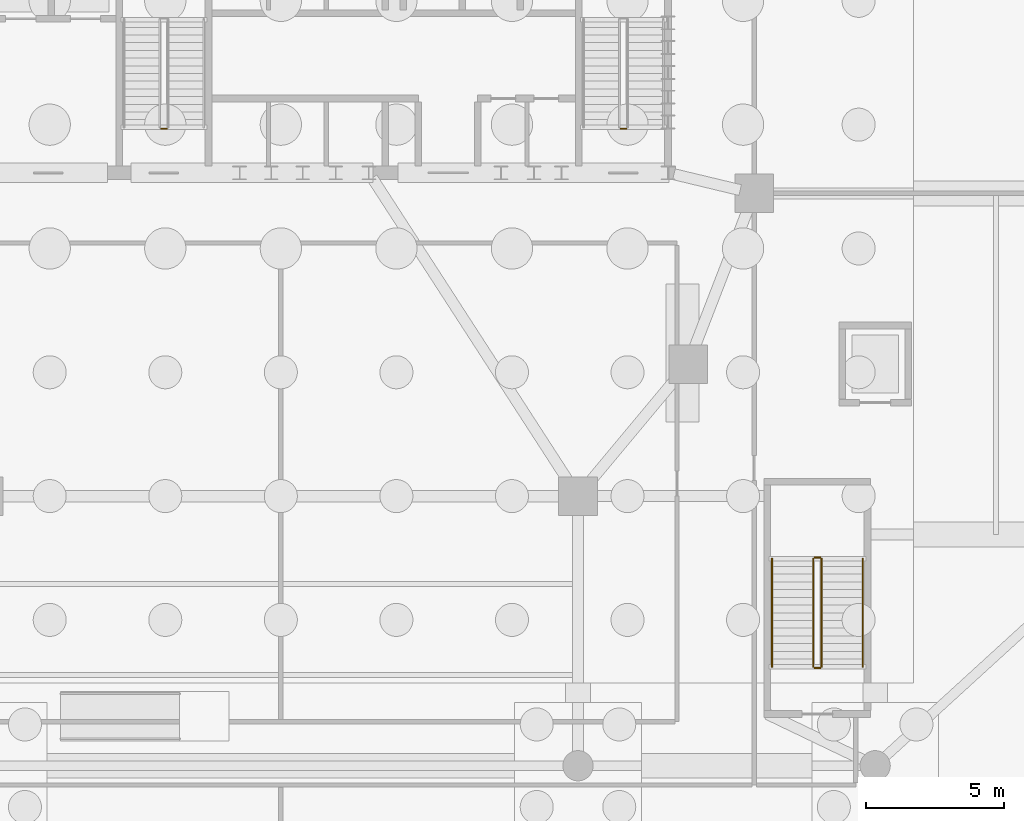
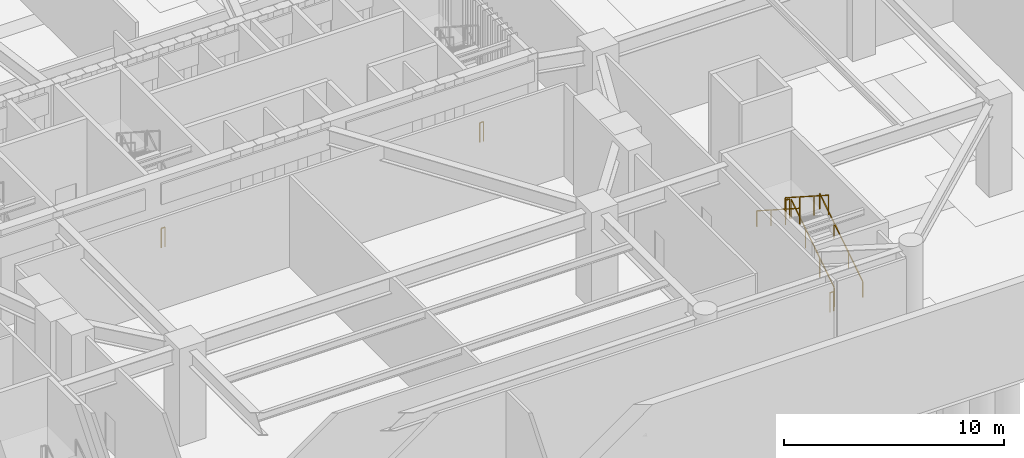
# One storey, part 9 of 11: 8 railings.
"""IFC4 building model written with IfcOpenShell, lengths in metres."""

from ifc_helpers import new_model, si_unit, direction, frame, origin, origin_2d, place, context, subcontext, project, spatial, rectangle, extrude, material, type_object, element, save


model = new_model("IFC4")

# Units and contexts
model_context = context("Model", 3, precision=1e-05, world=origin(), true_north=direction((0.0, 1.0)))
body_context = subcontext(model_context, "Body", "Model", "MODEL_VIEW")
ifc_project = project(units=[si_unit("LENGTHUNIT", "METRE"), si_unit("AREAUNIT", "SQUARE_METRE"), si_unit("VOLUMEUNIT", "CUBIC_METRE"), si_unit("PLANEANGLEUNIT", "RADIAN"), si_unit("MASSUNIT", "GRAM", prefix="KILO")], contexts=[model_context])

# Site, building, storey
site_placement = place(None, origin())
site = spatial("IfcSite", under=ifc_project, at=site_placement, CompositionType="ELEMENT")
building_placement = place(site_placement, origin())
building = spatial("IfcBuilding", under=site, at=building_placement, Name="Haldorwick Loom Tower", CompositionType="ELEMENT")
storey_placement = place(building_placement, frame((0.0, 0.0, -5.39990234375)))
storey = spatial("IfcBuildingStorey", under=building, at=storey_placement, Name="B01", CompositionType="ELEMENT", Elevation=-5.39990234375)

# Railings
ifc_material = material(Name="Steel CSA G40.21 350W", Category="steel")
railing_type_1 = type_object("IfcRailingType", Name="ARC-RLG-GUARD112", PredefinedType="GUARDRAIL", material=ifc_material)
railing_1_placement = place(storey_placement, frame((48.550048828125, 28.35009765625, 0.0)))
element("IfcRailing", 1, at=railing_1_placement, inside=storey, type_object=railing_type_1, Name="B01 ST-02 stair guard 4", PredefinedType="GUARDRAIL", context=body_context, shape_type="SweptSolid", body=[
    extrude(rectangle(XDim=0.048095703125, YDim=0.048095703125, at=origin_2d()), frame((0.0, 0.0, 1.076171875), z_axis=(-1.0, 0.0, 0.0), x_axis=(0.0, -1.0, 0.0)), (0.0, 0.0, 1.0), 0.199951171875),
    extrude(rectangle(XDim=0.0419921875, YDim=0.0419921875, at=origin_2d()), origin(), (0.0, 0.0, 1.0), 1.052001953125),
    extrude(rectangle(XDim=0.0419921875, YDim=0.0419921875, at=origin_2d()), frame((-0.199951171875, 0.0, 0.0)), (0.0, 0.0, 1.0), 1.052001953125),
])
railing_2_placement = place(storey_placement, frame((31.85009765625, 28.35009765625, 0.0)))
element("IfcRailing", 2, at=railing_2_placement, inside=storey, type_object=railing_type_1, Name="B01 ST-03 stair guard 4", PredefinedType="GUARDRAIL", context=body_context, shape_type="SweptSolid", body=[
    extrude(rectangle(XDim=0.048095703125, YDim=0.048095703125, at=origin_2d()), frame((0.0, 0.0, 1.076171875), z_axis=(-1.0, 0.0, 0.0), x_axis=(0.0, -1.0, 0.0)), (0.0, 0.0, 1.0), 0.2001953125),
    extrude(rectangle(XDim=0.0419921875, YDim=0.0419921875, at=origin_2d()), origin(), (0.0, 0.0, 1.0), 1.052001953125),
    extrude(rectangle(XDim=0.0419921875, YDim=0.0419921875, at=origin_2d()), frame((-0.2001953125, 0.0, 0.0)), (0.0, 0.0, 1.0), 1.052001953125),
])
railing_3_placement = place(storey_placement, frame((55.64990234375, 8.800048828125, 0.179931640625)))
element("IfcRailing", 3, at=railing_3_placement, inside=storey, type_object=railing_type_1, Name="B01 ST-P2 stair guard 1", PredefinedType="GUARDRAIL", context=body_context, shape_type="SweptSolid", body=[
    extrude(rectangle(XDim=0.048095703125, YDim=0.048095703125, at=origin_2d()), frame((0.0, 0.0, 1.076171875), z_axis=(0.0, 0.841171666519, 0.540768182723), x_axis=(-1.0, 0.0, 0.0)), (0.0, 0.0, 1.0), 4.66015625),
    extrude(rectangle(XDim=0.0419921875, YDim=0.0419921875, at=origin_2d()), origin(), (0.0, 0.0, 1.0), 1.052001953125),
    extrude(rectangle(XDim=0.0419921875, YDim=0.0419921875, at=origin_2d()), frame((0.0, 1.306640625, 0.840087890625)), (0.0, 0.0, 1.0), 1.052001953125),
    extrude(rectangle(XDim=0.0419921875, YDim=0.0419921875, at=origin_2d()), frame((0.0, 2.61328125, 1.679931640625)), (0.0, 0.0, 1.0), 1.052001953125),
    extrude(rectangle(XDim=0.0419921875, YDim=0.0419921875, at=origin_2d()), frame((0.0, 3.919921875, 2.52001953125)), (0.0, 0.0, 1.0), 1.052001953125),
])
railing_4_placement = place(storey_placement, frame((55.60009765625, 12.77001953125, 2.699951171875)))
element("IfcRailing", 4, at=railing_4_placement, inside=storey, type_object=railing_type_1, Name="B01 ST-P2 stair guard 2", PredefinedType="GUARDRAIL", context=body_context, shape_type="SweptSolid", body=[
    extrude(rectangle(XDim=0.048095703125, YDim=0.048095703125, at=origin_2d()), frame((0.0, 0.0, 1.076171875), z_axis=(-1.0, 0.0, 0.0), x_axis=(0.0, -1.0, 0.0)), (0.0, 0.0, 1.0), 0.2001953125),
    extrude(rectangle(XDim=0.0419921875, YDim=0.0419921875, at=origin_2d()), origin(), (0.0, 0.0, 1.0), 1.052001953125),
    extrude(rectangle(XDim=0.0419921875, YDim=0.0419921875, at=origin_2d()), frame((-0.2001953125, 0.0, 0.0)), (0.0, 0.0, 1.0), 1.052001953125),
])
railing_5_placement = place(storey_placement, frame((55.35009765625, 12.719970703125, 2.8798828125)))
element("IfcRailing", 5, at=railing_5_placement, inside=storey, type_object=railing_type_1, Name="B01 ST-P2 stair guard 3", PredefinedType="GUARDRAIL", context=body_context, shape_type="SweptSolid", body=[
    extrude(rectangle(XDim=0.048095703125, YDim=0.048095703125, at=origin_2d()), frame((0.0, 0.0, 1.076171875), z_axis=(0.0, -0.841171666519, 0.540768182723), x_axis=(1.0, 0.0, 0.0)), (0.0, 0.0, 1.0), 4.66015625),
    extrude(rectangle(XDim=0.0419921875, YDim=0.0419921875, at=origin_2d()), origin(), (0.0, 0.0, 1.0), 1.052001953125),
    extrude(rectangle(XDim=0.0419921875, YDim=0.0419921875, at=origin_2d()), frame((0.0, -1.306640625, 0.840087890625)), (0.0, 0.0, 1.0), 1.052001953125),
    extrude(rectangle(XDim=0.0419921875, YDim=0.0419921875, at=origin_2d()), frame((0.0, -2.61328125, 1.679931640625)), (0.0, 0.0, 1.0), 1.052001953125),
    extrude(rectangle(XDim=0.0419921875, YDim=0.0419921875, at=origin_2d()), frame((0.0, -3.919921875, 2.52001953125)), (0.0, 0.0, 1.0), 1.052001953125),
])
railing_6_placement = place(storey_placement, frame((55.60009765625, 8.75, 0.0)))
element("IfcRailing", 6, at=railing_6_placement, inside=storey, type_object=railing_type_1, Name="B01 ST-P2 stair guard 4", PredefinedType="GUARDRAIL", context=body_context, shape_type="SweptSolid", body=[
    extrude(rectangle(XDim=0.048095703125, YDim=0.048095703125, at=origin_2d()), frame((0.0, 0.0, 1.076171875), z_axis=(-1.0, 0.0, 0.0), x_axis=(0.0, -1.0, 0.0)), (0.0, 0.0, 1.0), 0.2001953125),
    extrude(rectangle(XDim=0.0419921875, YDim=0.0419921875, at=origin_2d()), origin(), (0.0, 0.0, 1.0), 1.052001953125),
    extrude(rectangle(XDim=0.0419921875, YDim=0.0419921875, at=origin_2d()), frame((-0.2001953125, 0.0, 0.0)), (0.0, 0.0, 1.0), 1.052001953125),
])
railing_type_2 = type_object("IfcRailingType", Name="ARC-RLG-HAND092", PredefinedType="HANDRAIL", material=ifc_material)
railing_7_placement = place(storey_placement, frame((57.14990234375, 8.800048828125, 0.179931640625)))
element("IfcRailing", 7, at=railing_7_placement, inside=storey, type_object=railing_type_2, Name="B01 ST-P2 stair handrail 1", PredefinedType="HANDRAIL", context=body_context, shape_type="SweptSolid", body=[
    extrude(rectangle(XDim=0.048095703125, YDim=0.048095703125, at=origin_2d()), frame((0.0, 0.0, 0.8759765625), z_axis=(0.0, 0.841171666519, 0.540768182723), x_axis=(-1.0, 0.0, 0.0)), (0.0, 0.0, 1.0), 4.66015625),
    extrude(rectangle(XDim=0.0419921875, YDim=0.0419921875, at=origin_2d()), origin(), (0.0, 0.0, 1.0), 0.851806640625),
    extrude(rectangle(XDim=0.0419921875, YDim=0.0419921875, at=origin_2d()), frame((0.0, 1.306640625, 0.840087890625)), (0.0, 0.0, 1.0), 0.851806640625),
    extrude(rectangle(XDim=0.0419921875, YDim=0.0419921875, at=origin_2d()), frame((0.0, 2.61328125, 1.679931640625)), (0.0, 0.0, 1.0), 0.851806640625),
    extrude(rectangle(XDim=0.0419921875, YDim=0.0419921875, at=origin_2d()), frame((0.0, 3.919921875, 2.52001953125)), (0.0, 0.0, 1.0), 0.851806640625),
])
railing_8_placement = place(storey_placement, frame((53.85009765625, 12.719970703125, 2.8798828125)))
element("IfcRailing", 8, at=railing_8_placement, inside=storey, type_object=railing_type_2, Name="B01 ST-P2 stair handrail 2", PredefinedType="HANDRAIL", context=body_context, shape_type="SweptSolid", body=[
    extrude(rectangle(XDim=0.048095703125, YDim=0.048095703125, at=origin_2d()), frame((0.0, 0.0, 0.8759765625), z_axis=(0.0, -0.841171666519, 0.540768182723), x_axis=(1.0, 0.0, 0.0)), (0.0, 0.0, 1.0), 4.66015625),
    extrude(rectangle(XDim=0.0419921875, YDim=0.0419921875, at=origin_2d()), origin(), (0.0, 0.0, 1.0), 0.851806640625),
    extrude(rectangle(XDim=0.0419921875, YDim=0.0419921875, at=origin_2d()), frame((0.0, -1.306640625, 0.840087890625)), (0.0, 0.0, 1.0), 0.851806640625),
    extrude(rectangle(XDim=0.0419921875, YDim=0.0419921875, at=origin_2d()), frame((0.0, -2.61328125, 1.679931640625)), (0.0, 0.0, 1.0), 0.851806640625),
    extrude(rectangle(XDim=0.0419921875, YDim=0.0419921875, at=origin_2d()), frame((0.0, -3.919921875, 2.52001953125)), (0.0, 0.0, 1.0), 0.851806640625),
])

save(model, "model.ifc")
